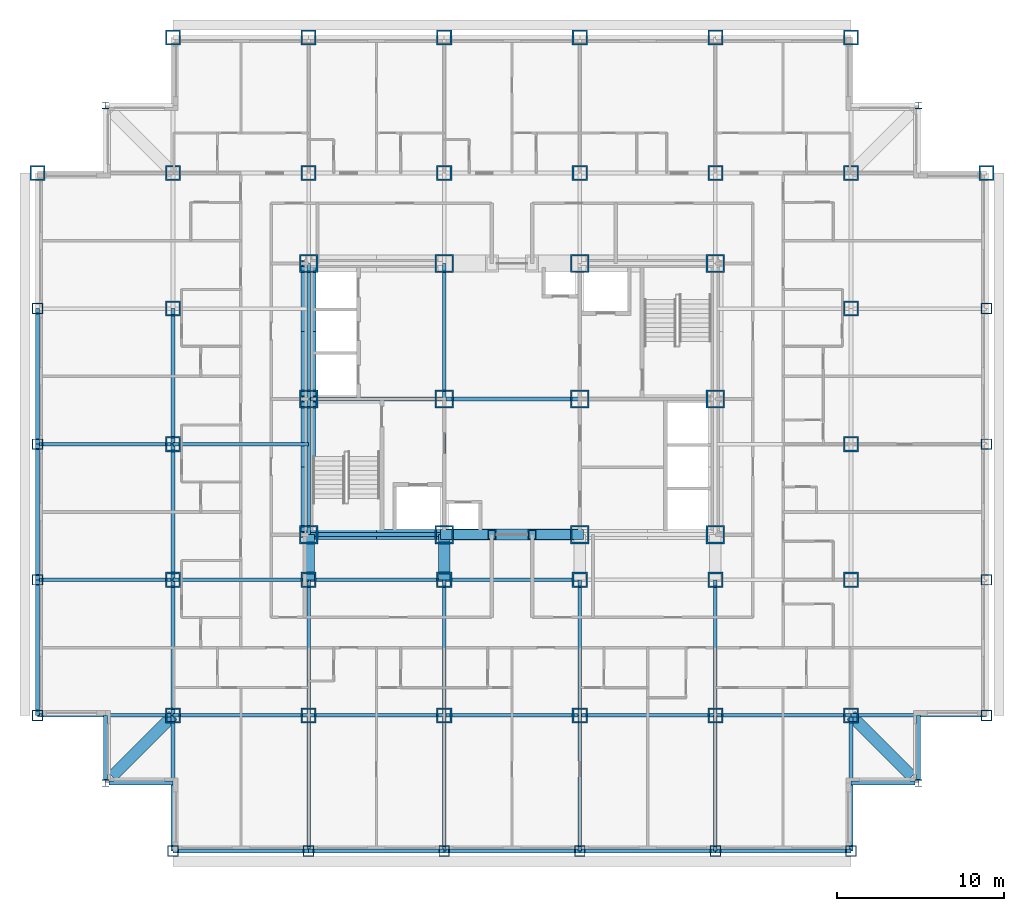
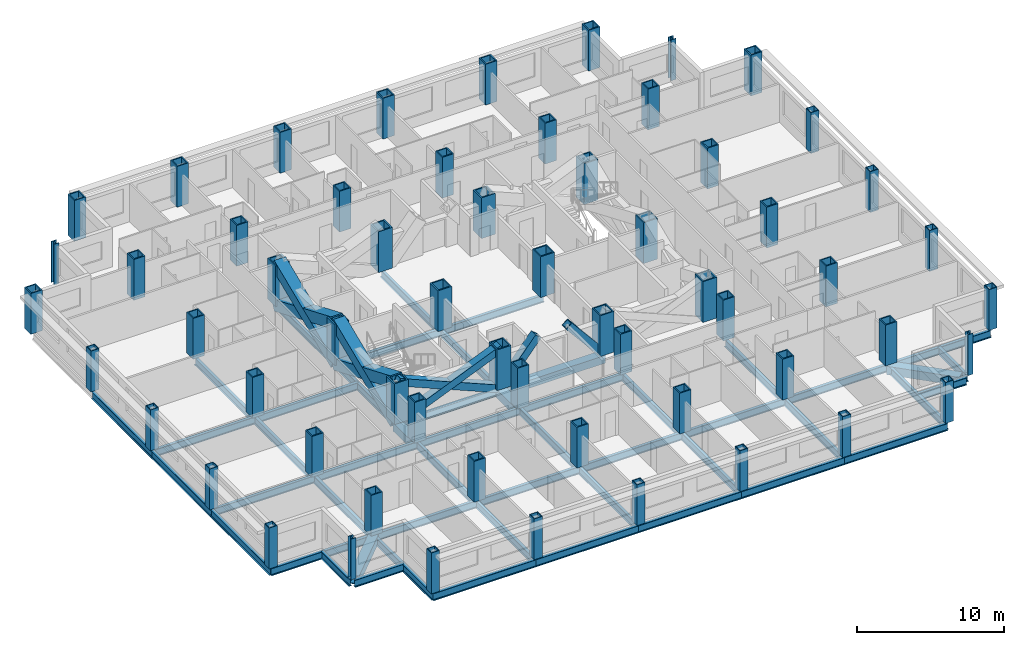
# One storey, part 1 of 12: 60 columns, 50 beams, 8 members.
"""IFC4 building model written with IfcOpenShell, lengths in metres."""

from ifc_helpers import new_model, si_unit, direction, frame, origin, origin_2d, place, context, subcontext, project, spatial, hollow_rectangle, i_section, extrude, material, material_profile, profile_set, type_object, element, save


model = new_model("IFC4")

# Units and contexts
model_context = context("Model", 3, precision=1e-05, world=origin(), true_north=direction((0.0, 1.0)))
body_context = subcontext(model_context, "Body", "Model", "MODEL_VIEW")
ifc_project = project(units=[si_unit("LENGTHUNIT", "METRE"), si_unit("AREAUNIT", "SQUARE_METRE"), si_unit("VOLUMEUNIT", "CUBIC_METRE"), si_unit("PLANEANGLEUNIT", "RADIAN"), si_unit("MASSUNIT", "GRAM", prefix="KILO")], contexts=[model_context])

# Site, building, storey
site_placement = place(None, origin())
site = spatial("IfcSite", under=ifc_project, at=site_placement, CompositionType="ELEMENT")
building_placement = place(site_placement, origin())
building = spatial("IfcBuilding", under=site, at=building_placement, Name="Kopane Lantern Tower", CompositionType="ELEMENT")
storey_placement = place(building_placement, frame((0.0, 0.0, 120.39990234375)))
storey = spatial("IfcBuildingStorey", under=building, at=storey_placement, Name="L30", CompositionType="ELEMENT", Elevation=120.39990234375)

# Columns
ifc_material_1 = material(Name="Steel S355JR", Category="steel")
ifc_material_profile_1 = material_profile(ifc_material_1, hollow_rectangle(XDim=1.10009765625, YDim=1.10009765625, WallThickness=0.10009765625, at=origin_2d()), Name="BOX 1100x1100x100")
ifc_profile_set_1 = profile_set([ifc_material_profile_1], Name="Steel S355JR")
column_type_1 = type_object("IfcColumnType", Name="COLUMN BOX 1100x1100x100", PredefinedType="COLUMN", material=ifc_profile_set_1)
for number, where, z_axis, x_axis, name in (
    (1, (16.199951171875, 24.300048828125, 0.0), (0.0, 0.0, 1.0), (1.0, 0.0, 0.0), "Column 4/E L30"),
    (2, (16.199951171875, 32.39990234375, 0.0), (0.0, 0.0, 1.0), (1.0, 0.0, 0.0), "Column 4/F L30"),
    (3, (16.199951171875, 40.5, 0.0), (0.0, 0.0, 1.0), (1.0, 0.0, 0.0), "Column 4/G L30"),
    (4, (24.300048828125, 24.300048828125, 0.0), (0.0, 0.0, 1.0), (1.0, 0.0, 0.0), "Column 5/E L30"),
    (5, (24.300048828125, 32.39990234375, 0.0), (0.0, 0.0, 1.0), (1.0, 0.0, 0.0), "Column 5/F L30"),
    (6, (24.300048828125, 40.5, 0.0), (0.0, 0.0, 1.0), (1.0, 0.0, 0.0), "Column 5/G L30"),
    (7, (32.39990234375, 24.300048828125, 0.0), (0.0, 0.0, 1.0), (1.0, 0.0, 0.0), "Column 6/E L30"),
    (8, (32.39990234375, 32.39990234375, 0.0), (0.0, 0.0, 1.0), (1.0, 0.0, 0.0), "Column 6/F L30"),
    (9, (32.39990234375, 40.5, 0.0), (0.0, 0.0, 1.0), (1.0, 0.0, 0.0), "Column 6/G L30"),
    (10, (40.5, 24.300048828125, 0.0), (0.0, 0.0, 1.0), (1.0, 0.0, 0.0), "Column 7/E L30"),
    (11, (40.5, 32.39990234375, 0.0), (0.0, 0.0, 1.0), (1.0, 0.0, 0.0), "Column 7/F L30"),
    (12, (40.5, 40.5, 0.0), (0.0, 0.0, 1.0), (1.0, 0.0, 0.0), "Column 7/G L30"),
):
    element("IfcColumn", number, at=place(storey_placement, frame(where, z_axis=z_axis, x_axis=x_axis)), inside=storey, type_object=column_type_1, Name=name, PredefinedType="COLUMN", context=body_context, shape_type="SweptSolid", body=[
        extrude(hollow_rectangle(XDim=1.10009765625, YDim=1.10009765625, WallThickness=0.10009765625, at=origin_2d()), origin(), (0.0, 0.0, 1.0), 3.400146484375),
    ])
ifc_material_2 = material(Name="Steel S355JR", Category="steel")
ifc_material_profile_2 = material_profile(ifc_material_2, hollow_rectangle(XDim=0.64990234375, YDim=0.64990234375, WallThickness=0.054931640625, at=origin_2d()), Name="BOX 650x650x55")
ifc_profile_set_2 = profile_set([ifc_material_profile_2], Name="Steel S355JR")
column_type_2 = type_object("IfcColumnType", Name="COLUMN BOX 650x650x55", PredefinedType="COLUMN", material=ifc_profile_set_2)
for number, where, z_axis, x_axis, name in (
    (13, (0.0, 13.5, 0.0), (0.0, 0.0, 1.0), (1.0, 0.0, 0.0), "Column 2/P2 L30"),
    (14, (0.0, 21.60009765625, 0.0), (0.0, 0.0, 1.0), (1.0, 0.0, 0.0), "Column 2/P3 L30"),
    (15, (0.0, 29.699951171875, 0.0), (0.0, 0.0, 1.0), (1.0, 0.0, 0.0), "Column 2/P4 L30"),
    (16, (0.0, 37.800048828125, 0.0), (0.0, 0.0, 1.0), (1.0, 0.0, 0.0), "Column 2/P5 L30"),
    (17, (8.10009765625, 5.39990234375, 0.0), (0.0, 0.0, 1.0), (1.0, 0.0, 0.0), "Column 3/P1 L30"),
    (18, (16.199951171875, 5.39990234375, 0.0), (0.0, 0.0, 1.0), (1.0, 0.0, 0.0), "Column 4/P1 L30"),
    (19, (24.300048828125, 5.39990234375, 0.0), (0.0, 0.0, 1.0), (1.0, 0.0, 0.0), "Column 5/P1 L30"),
    (20, (32.39990234375, 5.39990234375, 0.0), (0.0, 0.0, 1.0), (1.0, 0.0, 0.0), "Column 6/P1 L30"),
    (21, (40.5, 5.39990234375, 0.0), (0.0, 0.0, 1.0), (1.0, 0.0, 0.0), "Column 7/P1 L30"),
    (22, (48.60009765625, 5.39990234375, 0.0), (0.0, 0.0, 1.0), (1.0, 0.0, 0.0), "Column 8/P1 L30"),
    (23, (56.699951171875, 13.5, 0.0), (0.0, 0.0, 1.0), (1.0, 0.0, 0.0), "Column 9/P2 L30"),
    (24, (56.699951171875, 21.60009765625, 0.0), (0.0, 0.0, 1.0), (1.0, 0.0, 0.0), "Column 9/P3 L30"),
    (25, (56.699951171875, 29.699951171875, 0.0), (0.0, 0.0, 1.0), (1.0, 0.0, 0.0), "Column 9/P4 L30"),
    (26, (56.699951171875, 37.800048828125, 0.0), (0.0, 0.0, 1.0), (1.0, 0.0, 0.0), "Column 9/P5 L30"),
):
    element("IfcColumn", number, at=place(storey_placement, frame(where, z_axis=z_axis, x_axis=x_axis)), inside=storey, type_object=column_type_2, Name=name, PredefinedType="COLUMN", context=body_context, shape_type="SweptSolid", body=[
        extrude(hollow_rectangle(XDim=0.64990234375, YDim=0.64990234375, WallThickness=0.054931640625, at=origin_2d()), origin(), (0.0, 0.0, 1.0), 3.400146484375),
    ])
ifc_material_3 = material(Name="Steel S355JR", Category="steel")
ifc_material_profile_3 = material_profile(ifc_material_3, hollow_rectangle(XDim=0.89990234375, YDim=0.89990234375, WallThickness=0.090087890625, at=origin_2d()), Name="BOX 900x900x90")
ifc_profile_set_3 = profile_set([ifc_material_profile_3], Name="Steel S355JR")
column_type_3 = type_object("IfcColumnType", Name="COLUMN BOX 900x900x90", PredefinedType="COLUMN", material=ifc_profile_set_3)
for number, where, z_axis, x_axis, name in (
    (27, (0.0, 45.89990234375, 0.0), (0.0, 0.0, 1.0), (1.0, 0.0, 0.0), "Column 2/P6 L30"),
    (28, (8.10009765625, 13.5, 0.0), (0.0, 0.0, 1.0), (1.0, 0.0, 0.0), "Column 3/P2 L30"),
    (29, (8.10009765625, 21.60009765625, 0.0), (0.0, 0.0, 1.0), (1.0, 0.0, 0.0), "Column 3/P3 L30"),
    (30, (8.10009765625, 29.699951171875, 0.0), (0.0, 0.0, 1.0), (1.0, 0.0, 0.0), "Column 3/P4 L30"),
    (31, (8.10009765625, 37.800048828125, 0.0), (0.0, 0.0, 1.0), (1.0, 0.0, 0.0), "Column 3/P5 L30"),
    (32, (8.10009765625, 45.89990234375, 0.0), (0.0, 0.0, 1.0), (1.0, 0.0, 0.0), "Column 3/P6 L30"),
    (33, (8.10009765625, 54.0, 0.0), (0.0, 0.0, 1.0), (1.0, 0.0, 0.0), "Column 3/P7 L30"),
    (34, (16.199951171875, 13.5, 0.0), (0.0, 0.0, 1.0), (1.0, 0.0, 0.0), "Column 4/P2 L30"),
    (35, (16.199951171875, 21.60009765625, 0.0), (0.0, 0.0, 1.0), (1.0, 0.0, 0.0), "Column 4/P3 L30"),
    (36, (16.199951171875, 45.89990234375, 0.0), (0.0, 0.0, 1.0), (1.0, 0.0, 0.0), "Column 4/P6 L30"),
    (37, (16.199951171875, 54.0, 0.0), (0.0, 0.0, 1.0), (1.0, 0.0, 0.0), "Column 4/P7 L30"),
    (38, (24.300048828125, 13.5, 0.0), (0.0, 0.0, 1.0), (1.0, 0.0, 0.0), "Column 5/P2 L30"),
    (39, (24.300048828125, 21.60009765625, 0.0), (0.0, 0.0, 1.0), (1.0, 0.0, 0.0), "Column 5/P3 L30"),
    (40, (24.300048828125, 45.89990234375, 0.0), (0.0, 0.0, 1.0), (1.0, 0.0, 0.0), "Column 5/P6 L30"),
    (41, (24.300048828125, 54.0, 0.0), (0.0, 0.0, 1.0), (1.0, 0.0, 0.0), "Column 5/P7 L30"),
    (42, (32.39990234375, 13.5, 0.0), (0.0, 0.0, 1.0), (1.0, 0.0, 0.0), "Column 6/P2 L30"),
    (43, (32.39990234375, 21.60009765625, 0.0), (0.0, 0.0, 1.0), (1.0, 0.0, 0.0), "Column 6/P3 L30"),
    (44, (32.39990234375, 45.89990234375, 0.0), (0.0, 0.0, 1.0), (1.0, 0.0, 0.0), "Column 6/P6 L30"),
    (45, (32.39990234375, 54.0, 0.0), (0.0, 0.0, 1.0), (1.0, 0.0, 0.0), "Column 6/P7 L30"),
    (46, (40.5, 13.5, 0.0), (0.0, 0.0, 1.0), (1.0, 0.0, 0.0), "Column 7/P2 L30"),
    (47, (40.5, 21.60009765625, 0.0), (0.0, 0.0, 1.0), (1.0, 0.0, 0.0), "Column 7/P3 L30"),
    (48, (40.5, 45.89990234375, 0.0), (0.0, 0.0, 1.0), (1.0, 0.0, 0.0), "Column 7/P6 L30"),
    (49, (40.5, 54.0, 0.0), (0.0, 0.0, 1.0), (1.0, 0.0, 0.0), "Column 7/P7 L30"),
    (50, (48.60009765625, 13.5, 0.0), (0.0, 0.0, 1.0), (1.0, 0.0, 0.0), "Column 8/P2 L30"),
    (51, (48.60009765625, 21.60009765625, 0.0), (0.0, 0.0, 1.0), (1.0, 0.0, 0.0), "Column 8/P3 L30"),
    (52, (48.60009765625, 29.699951171875, 0.0), (0.0, 0.0, 1.0), (1.0, 0.0, 0.0), "Column 8/P4 L30"),
    (53, (48.60009765625, 37.800048828125, 0.0), (0.0, 0.0, 1.0), (1.0, 0.0, 0.0), "Column 8/P5 L30"),
    (54, (48.60009765625, 45.89990234375, 0.0), (0.0, 0.0, 1.0), (1.0, 0.0, 0.0), "Column 8/P6 L30"),
    (55, (48.60009765625, 54.0, 0.0), (0.0, 0.0, 1.0), (1.0, 0.0, 0.0), "Column 8/P7 L30"),
    (56, (56.699951171875, 45.89990234375, 0.0), (0.0, 0.0, 1.0), (1.0, 0.0, 0.0), "Column 9/P6 L30"),
):
    element("IfcColumn", number, at=place(storey_placement, frame(where, z_axis=z_axis, x_axis=x_axis)), inside=storey, type_object=column_type_3, Name=name, PredefinedType="COLUMN", context=body_context, shape_type="SweptSolid", body=[
        extrude(hollow_rectangle(XDim=0.89990234375, YDim=0.89990234375, WallThickness=0.090087890625, at=origin_2d()), origin(), (0.0, 0.0, 1.0), 3.400146484375),
    ])
ifc_material_4 = material(Name="Steel S355JR", Category="steel")
ifc_material_profile_4 = material_profile(ifc_material_4, i_section(OverallWidth=0.406982421875, OverallDepth=0.4189453125, WebThickness=0.030517578125, FlangeThickness=0.04931640625, FilletRadius=0.01513671875, at=origin_2d()), Name="UC 356x406x393")
ifc_profile_set_4 = profile_set([ifc_material_profile_4], Name="Steel S355JR")
column_type_4 = type_object("IfcColumnType", Name="COLUMN UC 356x406x393", PredefinedType="COLUMN", material=ifc_profile_set_4)
for number, where, z_axis, x_axis, name in (
    (57, (4.050048828125, 9.449951171875, 0.0), (0.0, 0.0, 1.0), (1.0, 0.0, 0.0), "Column 4.05/9.45 L30"),
    (58, (4.050048828125, 49.949951171875, 0.0), (0.0, 0.0, 1.0), (1.0, 0.0, 0.0), "Column 4.05/49.95 L30"),
    (59, (52.64990234375, 9.449951171875, 0.0), (0.0, 0.0, 1.0), (1.0, 0.0, 0.0), "Column 52.65/9.45 L30"),
    (60, (52.64990234375, 49.949951171875, 0.0), (0.0, 0.0, 1.0), (1.0, 0.0, 0.0), "Column 52.65/49.95 L30"),
):
    element("IfcColumn", number, at=place(storey_placement, frame(where, z_axis=z_axis, x_axis=x_axis)), inside=storey, type_object=column_type_4, Name=name, PredefinedType="COLUMN", context=body_context, shape_type="SweptSolid", body=[
        extrude(i_section(OverallWidth=0.406982421875, OverallDepth=0.4189453125, WebThickness=0.030517578125, FlangeThickness=0.04931640625, FilletRadius=0.01513671875, at=origin_2d()), origin(), (0.0, 0.0, 1.0), 3.400146484375),
    ])

# Members
ifc_material_5 = material(Name="Steel S355JR", Category="steel")
ifc_material_profile_5 = material_profile(ifc_material_5, hollow_rectangle(XDim=0.60009765625, YDim=0.60009765625, WallThickness=0.050048828125, at=origin_2d()), Name="BOX 600x600x50")
ifc_profile_set_5 = profile_set([ifc_material_profile_5], Name="Steel S355JR")
member_type_1 = type_object("IfcMemberType", Name="BRACE BOX 600x600x50", PredefinedType="BRACE", material=ifc_profile_set_5)
for number, where, z_axis, x_axis, name in (
    (61, (16.199951171875, 24.300048828125, -0.2099609375), (0.92205908274, 0.0, 0.387049154419), (0.0, 1.0, 0.0), "Core brace L30"),
    (62, (24.300048828125, 24.300048828125, -0.2099609375), (-0.92205908274, 0.0, 0.387049154419), (0.0, -1.0, 0.0), "Core brace L30"),
):
    element("IfcMember", number, at=place(storey_placement, frame(where, z_axis=z_axis, x_axis=x_axis)), inside=storey, type_object=member_type_1, Name=name, PredefinedType="BRACE", context=body_context, shape_type="SweptSolid", body=[
        extrude(hollow_rectangle(XDim=0.60009765625, YDim=0.60009765625, WallThickness=0.050048828125, at=origin_2d()), origin(), (0.0, 0.0, 1.0), 8.784912109375),
    ])
for number, where, z_axis, x_axis, name in (
    (63, (24.300048828125, 24.300048828125, -0.2099609375), (0.642363165114, 0.0, 0.766400394118), (0.0, 1.0, 0.0), "Core brace L30"),
    (64, (32.39990234375, 24.300048828125, -0.2099609375), (-0.642363165114, 0.0, 0.766400394118), (0.0, -1.0, 0.0), "Core brace L30"),
):
    element("IfcMember", number, at=place(storey_placement, frame(where, z_axis=z_axis, x_axis=x_axis)), inside=storey, type_object=member_type_1, Name=name, PredefinedType="BRACE", context=body_context, shape_type="SweptSolid", body=[
        extrude(hollow_rectangle(XDim=0.60009765625, YDim=0.60009765625, WallThickness=0.050048828125, at=origin_2d()), origin(), (0.0, 0.0, 1.0), 4.4365234375),
    ])
ifc_material_6 = material(Name="Steel S355JR", Category="steel")
ifc_material_profile_6 = material_profile(ifc_material_6, hollow_rectangle(XDim=0.89990234375, YDim=0.89990234375, WallThickness=0.090087890625, at=origin_2d()), Name="BOX 900x900x90")
ifc_profile_set_6 = profile_set([ifc_material_profile_6], Name="Steel S355JR")
member_type_2 = type_object("IfcMemberType", Name="BRACE BOX 900x900x90", PredefinedType="BRACE", material=ifc_profile_set_6)
for number, where, z_axis, x_axis, name in (
    (65, (16.199951171875, 24.300048828125, -0.2099609375), (0.0, 0.92205491925, 0.387059072864), (-1.0, 0.0, 0.0), "Core brace L30"),
    (66, (16.199951171875, 32.39990234375, -0.2099609375), (0.0, -0.92205491925, 0.387059072864), (1.0, 0.0, 0.0), "Core brace L30"),
):
    element("IfcMember", number, at=place(storey_placement, frame(where, z_axis=z_axis, x_axis=x_axis)), inside=storey, type_object=member_type_2, Name=name, PredefinedType="BRACE", context=body_context, shape_type="SweptSolid", body=[
        extrude(hollow_rectangle(XDim=0.89990234375, YDim=0.89990234375, WallThickness=0.090087890625, at=origin_2d()), origin(), (0.0, 0.0, 1.0), 8.78466796875),
    ])
for number, where, z_axis, x_axis, name in (
    (67, (16.199951171875, 32.39990234375, -0.2099609375), (0.0, 0.92205908274, 0.387049154419), (-1.0, 0.0, 0.0), "Core brace L30"),
    (68, (16.199951171875, 40.5, -0.2099609375), (0.0, -0.92205908274, 0.387049154419), (1.0, 0.0, 0.0), "Core brace L30"),
):
    element("IfcMember", number, at=place(storey_placement, frame(where, z_axis=z_axis, x_axis=x_axis)), inside=storey, type_object=member_type_2, Name=name, PredefinedType="BRACE", context=body_context, shape_type="SweptSolid", body=[
        extrude(hollow_rectangle(XDim=0.89990234375, YDim=0.89990234375, WallThickness=0.090087890625, at=origin_2d()), origin(), (0.0, 0.0, 1.0), 8.784912109375),
    ])

# Beams
ifc_material_7 = material(Name="Steel S355JR", Category="steel")
ifc_material_profile_7 = material_profile(ifc_material_7, i_section(OverallWidth=0.22900390625, OverallDepth=0.6123046875, WebThickness=0.011962890625, FlangeThickness=0.01953125, FilletRadius=0.0126953125, at=origin_2d()), Name="UB 610x229x125")
ifc_profile_set_7 = profile_set([ifc_material_profile_7], Name="Steel S355JR")
beam_type_1 = type_object("IfcBeamType", Name="CORE BEAM UB 610x229x125", PredefinedType="BEAM", material=ifc_profile_set_7)
beam_1_placement = place(storey_placement, frame((16.199951171875, 32.39990234375, -0.51611328125), z_axis=(1.0, 0.0, 0.0), x_axis=(0.0, 1.0, 0.0)))
element("IfcBeam", 69, at=beam_1_placement, inside=storey, type_object=beam_type_1, Name="Core Beam L30", PredefinedType="BEAM", context=body_context, shape_type="SweptSolid", body=[
    extrude(i_section(OverallWidth=0.22900390625, OverallDepth=0.6123046875, WebThickness=0.011962890625, FlangeThickness=0.01953125, FilletRadius=0.0126953125, at=origin_2d()), origin(), (0.0, 0.0, 1.0), 8.10009765625),
])
beam_2_placement = place(storey_placement, frame((24.300048828125, 24.300048828125, -0.51611328125), z_axis=(0.0, 1.0, 0.0), x_axis=(-1.0, 0.0, 0.0)))
element("IfcBeam", 70, at=beam_2_placement, inside=storey, type_object=beam_type_1, Name="Core Beam L30", PredefinedType="BEAM", context=body_context, shape_type="SweptSolid", body=[
    extrude(i_section(OverallWidth=0.22900390625, OverallDepth=0.6123046875, WebThickness=0.011962890625, FlangeThickness=0.01953125, FilletRadius=0.0126953125, at=origin_2d()), origin(), (0.0, 0.0, 1.0), 8.099853515625),
])
beam_3_placement = place(storey_placement, frame((24.300048828125, 32.39990234375, -0.51611328125), z_axis=(0.0, 1.0, 0.0), x_axis=(-1.0, 0.0, 0.0)))
element("IfcBeam", 71, at=beam_3_placement, inside=storey, type_object=beam_type_1, Name="Core Beam L30", PredefinedType="BEAM", context=body_context, shape_type="SweptSolid", body=[
    extrude(i_section(OverallWidth=0.22900390625, OverallDepth=0.6123046875, WebThickness=0.011962890625, FlangeThickness=0.01953125, FilletRadius=0.0126953125, at=origin_2d()), origin(), (0.0, 0.0, 1.0), 8.10009765625),
])
beam_4_placement = place(storey_placement, frame((24.300048828125, 32.39990234375, -0.51611328125), z_axis=(1.0, 0.0, 0.0), x_axis=(0.0, 1.0, 0.0)))
element("IfcBeam", 72, at=beam_4_placement, inside=storey, type_object=beam_type_1, Name="Core Beam L30", PredefinedType="BEAM", context=body_context, shape_type="SweptSolid", body=[
    extrude(i_section(OverallWidth=0.22900390625, OverallDepth=0.6123046875, WebThickness=0.011962890625, FlangeThickness=0.01953125, FilletRadius=0.0126953125, at=origin_2d()), origin(), (0.0, 0.0, 1.0), 8.099853515625),
])
ifc_material_8 = material(Name="Steel S355JR", Category="steel")
ifc_material_profile_8 = material_profile(ifc_material_8, hollow_rectangle(XDim=0.699951171875, YDim=0.699951171875, WallThickness=0.06005859375, at=origin_2d()), Name="BOX 700x700x60")
ifc_profile_set_8 = profile_set([ifc_material_profile_8], Name="Steel S355JR")
beam_type_2 = type_object("IfcBeamType", Name="CORNER TIE BEAM BOX 700x700x60", PredefinedType="BEAM", material=ifc_profile_set_8)
beam_5_placement = place(storey_placement, frame((4.447509765625, 9.847412109375, -0.559814453125), z_axis=(0.707106781187, 0.707106781187, 0.0), x_axis=(-0.707106781187, 0.707106781187, 0.0)))
element("IfcBeam", 73, at=beam_5_placement, inside=storey, type_object=beam_type_2, Name="Corner Tie Beam L30", PredefinedType="BEAM", context=body_context, shape_type="SweptSolid", body=[
    extrude(hollow_rectangle(XDim=0.699951171875, YDim=0.699951171875, WallThickness=0.06005859375, at=origin_2d()), origin(), (0.0, 0.0, 1.0), 5.16552734375),
])
beam_6_placement = place(storey_placement, frame((52.25244140625, 9.847412109375, -0.559814453125), z_axis=(-0.707083148333, 0.70713041325, 0.0), x_axis=(-0.70713041325, -0.707083148333, 0.0)))
element("IfcBeam", 74, at=beam_6_placement, inside=storey, type_object=beam_type_2, Name="Corner Tie Beam L30", PredefinedType="BEAM", context=body_context, shape_type="SweptSolid", body=[
    extrude(hollow_rectangle(XDim=0.699951171875, YDim=0.699951171875, WallThickness=0.06005859375, at=origin_2d()), origin(), (0.0, 0.0, 1.0), 5.165283203125),
])
ifc_material_9 = material(Name="Steel S355JR", Category="steel")
ifc_material_profile_9 = material_profile(ifc_material_9, i_section(OverallWidth=0.22900390625, OverallDepth=0.6123046875, WebThickness=0.011962890625, FlangeThickness=0.01953125, FilletRadius=0.0126953125, at=origin_2d()), Name="UB 610x229x125")
ifc_profile_set_9 = profile_set([ifc_material_profile_9], Name="Steel S355JR")
beam_type_3 = type_object("IfcBeamType", Name="EDGE BEAM UB 610x229x125", PredefinedType="BEAM", material=ifc_profile_set_9)
beam_7_placement = place(storey_placement, frame((4.050048828125, 9.653564453125, -0.51611328125), z_axis=(0.0, 1.0, 0.0), x_axis=(-1.0, 0.0, 0.0)))
element("IfcBeam", 75, at=beam_7_placement, inside=storey, type_object=beam_type_3, Name="Edge Beam L30", PredefinedType="BEAM", context=body_context, shape_type="SweptSolid", body=[
    extrude(i_section(OverallWidth=0.22900390625, OverallDepth=0.6123046875, WebThickness=0.011962890625, FlangeThickness=0.01953125, FilletRadius=0.0126953125, at=origin_2d()), origin(), (0.0, 0.0, 1.0), 3.846435546875),
])
beam_8_placement = place(storey_placement, frame((4.25341796875, 9.449951171875, -0.51611328125), z_axis=(1.0, 0.0, 0.0), x_axis=(0.0, 1.0, 0.0)))
element("IfcBeam", 76, at=beam_8_placement, inside=storey, type_object=beam_type_3, Name="Edge Beam L30", PredefinedType="BEAM", context=body_context, shape_type="SweptSolid", body=[
    extrude(i_section(OverallWidth=0.22900390625, OverallDepth=0.6123046875, WebThickness=0.011962890625, FlangeThickness=0.01953125, FilletRadius=0.0126953125, at=origin_2d()), origin(), (0.0, 0.0, 1.0), 3.8466796875),
])
for number, where, z_axis, x_axis, name in (
    (77, (52.446533203125, 9.449951171875, -0.51611328125), (-1.0, 0.0, 0.0), (0.0, -1.0, 0.0), "Edge Beam L30"),
    (78, (52.64990234375, 9.653564453125, -0.51611328125), (0.0, 1.0, 0.0), (-1.0, 0.0, 0.0), "Edge Beam L30"),
):
    element("IfcBeam", number, at=place(storey_placement, frame(where, z_axis=z_axis, x_axis=x_axis)), inside=storey, type_object=beam_type_3, Name=name, PredefinedType="BEAM", context=body_context, shape_type="SweptSolid", body=[
        extrude(i_section(OverallWidth=0.22900390625, OverallDepth=0.6123046875, WebThickness=0.011962890625, FlangeThickness=0.01953125, FilletRadius=0.0126953125, at=origin_2d()), origin(), (0.0, 0.0, 1.0), 3.846435546875),
    ])
ifc_material_10 = material(Name="Steel S355JR", Category="steel")
ifc_material_profile_10 = material_profile(ifc_material_10, hollow_rectangle(XDim=0.699951171875, YDim=0.699951171875, WallThickness=0.06005859375, at=origin_2d()), Name="BOX 700x700x60")
ifc_profile_set_10 = profile_set([ifc_material_profile_10], Name="Steel S355JR")
beam_type_4 = type_object("IfcBeamType", Name="GIRDER BOX 700x700x60", PredefinedType="BEAM", material=ifc_profile_set_10)
for number, where, z_axis, x_axis, name in (
    (79, (16.199951171875, 21.60009765625, -0.559814453125), (0.0, 1.0, 0.0), (-1.0, 0.0, 0.0), "Girder L30"),
    (80, (24.300048828125, 21.60009765625, -0.559814453125), (0.0, 1.0, 0.0), (-1.0, 0.0, 0.0), "Girder L30"),
):
    element("IfcBeam", number, at=place(storey_placement, frame(where, z_axis=z_axis, x_axis=x_axis)), inside=storey, type_object=beam_type_4, Name=name, PredefinedType="BEAM", context=body_context, shape_type="SweptSolid", body=[
        extrude(hollow_rectangle(XDim=0.699951171875, YDim=0.699951171875, WallThickness=0.06005859375, at=origin_2d()), origin(), (0.0, 0.0, 1.0), 2.699951171875),
    ])
ifc_material_11 = material(Name="Steel S355JR", Category="steel")
ifc_material_profile_11 = material_profile(ifc_material_11, i_section(OverallWidth=0.22900390625, OverallDepth=0.6123046875, WebThickness=0.011962890625, FlangeThickness=0.01953125, FilletRadius=0.0126953125, at=origin_2d()), Name="UB 610x229x125")
ifc_profile_set_11 = profile_set([ifc_material_profile_11], Name="Steel S355JR")
beam_type_5 = type_object("IfcBeamType", Name="GIRDER UB 610x229x125", PredefinedType="BEAM", material=ifc_profile_set_11)
for number, where, z_axis, x_axis, name in (
    (81, (0.0, 13.5, -0.51611328125), (0.0, 1.0, 0.0), (-1.0, 0.0, 0.0), "Girder L30"),
    (82, (0.0, 13.5, -0.51611328125), (1.0, 0.0, 0.0), (0.0, 1.0, 0.0), "Girder L30"),
):
    element("IfcBeam", number, at=place(storey_placement, frame(where, z_axis=z_axis, x_axis=x_axis)), inside=storey, type_object=beam_type_5, Name=name, PredefinedType="BEAM", context=body_context, shape_type="SweptSolid", body=[
        extrude(i_section(OverallWidth=0.22900390625, OverallDepth=0.6123046875, WebThickness=0.011962890625, FlangeThickness=0.01953125, FilletRadius=0.0126953125, at=origin_2d()), origin(), (0.0, 0.0, 1.0), 8.10009765625),
    ])
beam_9_placement = place(storey_placement, frame((0.0, 21.60009765625, -0.51611328125), z_axis=(0.0, 1.0, 0.0), x_axis=(-1.0, 0.0, 0.0)))
element("IfcBeam", 83, at=beam_9_placement, inside=storey, type_object=beam_type_5, Name="Girder L30", PredefinedType="BEAM", context=body_context, shape_type="SweptSolid", body=[
    extrude(i_section(OverallWidth=0.22900390625, OverallDepth=0.6123046875, WebThickness=0.011962890625, FlangeThickness=0.01953125, FilletRadius=0.0126953125, at=origin_2d()), origin(), (0.0, 0.0, 1.0), 8.099853515625),
])
for number, where, z_axis, x_axis, name in (
    (84, (0.0, 21.60009765625, -0.51611328125), (1.0, 0.0, 0.0), (0.0, 1.0, 0.0), "Girder L30"),
    (85, (0.0, 29.699951171875, -0.51611328125), (0.0, 1.0, 0.0), (-1.0, 0.0, 0.0), "Girder L30"),
    (86, (0.0, 29.699951171875, -0.51611328125), (1.0, 0.0, 0.0), (0.0, 1.0, 0.0), "Girder L30"),
    (87, (8.10009765625, 5.39990234375, -0.51611328125), (0.0, 1.0, 0.0), (-1.0, 0.0, 0.0), "Girder L30"),
):
    element("IfcBeam", number, at=place(storey_placement, frame(where, z_axis=z_axis, x_axis=x_axis)), inside=storey, type_object=beam_type_5, Name=name, PredefinedType="BEAM", context=body_context, shape_type="SweptSolid", body=[
        extrude(i_section(OverallWidth=0.22900390625, OverallDepth=0.6123046875, WebThickness=0.011962890625, FlangeThickness=0.01953125, FilletRadius=0.0126953125, at=origin_2d()), origin(), (0.0, 0.0, 1.0), 8.10009765625),
    ])
beam_10_placement = place(storey_placement, frame((8.10009765625, 5.39990234375, -0.51611328125), z_axis=(1.0, 0.0, 0.0), x_axis=(0.0, 1.0, 0.0)))
element("IfcBeam", 88, at=beam_10_placement, inside=storey, type_object=beam_type_5, Name="Girder L30", PredefinedType="BEAM", context=body_context, shape_type="SweptSolid", body=[
    extrude(i_section(OverallWidth=0.22900390625, OverallDepth=0.6123046875, WebThickness=0.011962890625, FlangeThickness=0.01953125, FilletRadius=0.0126953125, at=origin_2d()), origin(), (0.0, 0.0, 1.0), 8.099853515625),
])
beam_11_placement = place(storey_placement, frame((8.10009765625, 13.5, -0.51611328125), z_axis=(0.0, 1.0, 0.0), x_axis=(-1.0, 0.0, 0.0)))
element("IfcBeam", 89, at=beam_11_placement, inside=storey, type_object=beam_type_5, Name="Girder L30", PredefinedType="BEAM", context=body_context, shape_type="SweptSolid", body=[
    extrude(i_section(OverallWidth=0.22900390625, OverallDepth=0.6123046875, WebThickness=0.011962890625, FlangeThickness=0.01953125, FilletRadius=0.0126953125, at=origin_2d()), origin(), (0.0, 0.0, 1.0), 8.10009765625),
])
for number, where, z_axis, x_axis, name in (
    (90, (8.10009765625, 13.5, -0.51611328125), (1.0, 0.0, 0.0), (0.0, 1.0, 0.0), "Girder L30"),
    (91, (8.10009765625, 21.60009765625, -0.51611328125), (0.0, 1.0, 0.0), (-1.0, 0.0, 0.0), "Girder L30"),
    (92, (8.10009765625, 21.60009765625, -0.51611328125), (1.0, 0.0, 0.0), (0.0, 1.0, 0.0), "Girder L30"),
):
    element("IfcBeam", number, at=place(storey_placement, frame(where, z_axis=z_axis, x_axis=x_axis)), inside=storey, type_object=beam_type_5, Name=name, PredefinedType="BEAM", context=body_context, shape_type="SweptSolid", body=[
        extrude(i_section(OverallWidth=0.22900390625, OverallDepth=0.6123046875, WebThickness=0.011962890625, FlangeThickness=0.01953125, FilletRadius=0.0126953125, at=origin_2d()), origin(), (0.0, 0.0, 1.0), 8.099853515625),
    ])
beam_12_placement = place(storey_placement, frame((8.10009765625, 29.699951171875, -0.51611328125), z_axis=(0.0, 1.0, 0.0), x_axis=(-1.0, 0.0, 0.0)))
element("IfcBeam", 93, at=beam_12_placement, inside=storey, type_object=beam_type_5, Name="Girder L30", PredefinedType="BEAM", context=body_context, shape_type="SweptSolid", body=[
    extrude(i_section(OverallWidth=0.22900390625, OverallDepth=0.6123046875, WebThickness=0.011962890625, FlangeThickness=0.01953125, FilletRadius=0.0126953125, at=origin_2d()), origin(), (0.0, 0.0, 1.0), 8.10009765625),
])
beam_13_placement = place(storey_placement, frame((8.10009765625, 29.699951171875, -0.51611328125), z_axis=(1.0, 0.0, 0.0), x_axis=(0.0, 1.0, 0.0)))
element("IfcBeam", 94, at=beam_13_placement, inside=storey, type_object=beam_type_5, Name="Girder L30", PredefinedType="BEAM", context=body_context, shape_type="SweptSolid", body=[
    extrude(i_section(OverallWidth=0.22900390625, OverallDepth=0.6123046875, WebThickness=0.011962890625, FlangeThickness=0.01953125, FilletRadius=0.0126953125, at=origin_2d()), origin(), (0.0, 0.0, 1.0), 8.099853515625),
])
for number, where, z_axis, x_axis, name in (
    (95, (16.199951171875, 5.39990234375, -0.51611328125), (0.0, 1.0, 0.0), (-1.0, 0.0, 0.0), "Girder L30"),
    (96, (16.199951171875, 5.39990234375, -0.51611328125), (1.0, 0.0, 0.0), (0.0, 1.0, 0.0), "Girder L30"),
    (97, (16.199951171875, 13.5, -0.51611328125), (0.0, 1.0, 0.0), (-1.0, 0.0, 0.0), "Girder L30"),
    (98, (16.199951171875, 13.5, -0.51611328125), (1.0, 0.0, 0.0), (0.0, 1.0, 0.0), "Girder L30"),
    (99, (16.199951171875, 21.60009765625, -0.51611328125), (1.0, 0.0, 0.0), (0.0, 1.0, 0.0), "Girder L30"),
):
    element("IfcBeam", number, at=place(storey_placement, frame(where, z_axis=z_axis, x_axis=x_axis)), inside=storey, type_object=beam_type_5, Name=name, PredefinedType="BEAM", context=body_context, shape_type="SweptSolid", body=[
        extrude(i_section(OverallWidth=0.22900390625, OverallDepth=0.6123046875, WebThickness=0.011962890625, FlangeThickness=0.01953125, FilletRadius=0.0126953125, at=origin_2d()), origin(), (0.0, 0.0, 1.0), 8.10009765625),
    ])
beam_14_placement = place(storey_placement, frame((16.199951171875, 24.300048828125, -0.51611328125), z_axis=(0.0, 1.0, 0.0), x_axis=(-1.0, 0.0, 0.0)))
element("IfcBeam", 100, at=beam_14_placement, inside=storey, type_object=beam_type_5, Name="Girder L30", PredefinedType="BEAM", context=body_context, shape_type="SweptSolid", body=[
    extrude(i_section(OverallWidth=0.22900390625, OverallDepth=0.6123046875, WebThickness=0.011962890625, FlangeThickness=0.01953125, FilletRadius=0.0126953125, at=origin_2d()), origin(), (0.0, 0.0, 1.0), 8.099853515625),
])
for number, where, z_axis, x_axis, name in (
    (101, (16.199951171875, 24.300048828125, -0.51611328125), (1.0, 0.0, 0.0), (0.0, 1.0, 0.0), "Girder L30"),
    (102, (16.199951171875, 32.39990234375, -0.51611328125), (0.0, 1.0, 0.0), (-1.0, 0.0, 0.0), "Girder L30"),
    (103, (24.300048828125, 5.39990234375, -0.51611328125), (0.0, 1.0, 0.0), (-1.0, 0.0, 0.0), "Girder L30"),
):
    element("IfcBeam", number, at=place(storey_placement, frame(where, z_axis=z_axis, x_axis=x_axis)), inside=storey, type_object=beam_type_5, Name=name, PredefinedType="BEAM", context=body_context, shape_type="SweptSolid", body=[
        extrude(i_section(OverallWidth=0.22900390625, OverallDepth=0.6123046875, WebThickness=0.011962890625, FlangeThickness=0.01953125, FilletRadius=0.0126953125, at=origin_2d()), origin(), (0.0, 0.0, 1.0), 8.10009765625),
    ])
beam_15_placement = place(storey_placement, frame((24.300048828125, 5.39990234375, -0.51611328125), z_axis=(1.0, 0.0, 0.0), x_axis=(0.0, 1.0, 0.0)))
element("IfcBeam", 104, at=beam_15_placement, inside=storey, type_object=beam_type_5, Name="Girder L30", PredefinedType="BEAM", context=body_context, shape_type="SweptSolid", body=[
    extrude(i_section(OverallWidth=0.22900390625, OverallDepth=0.6123046875, WebThickness=0.011962890625, FlangeThickness=0.01953125, FilletRadius=0.0126953125, at=origin_2d()), origin(), (0.0, 0.0, 1.0), 8.099853515625),
])
beam_16_placement = place(storey_placement, frame((24.300048828125, 13.5, -0.51611328125), z_axis=(0.0, 1.0, 0.0), x_axis=(-1.0, 0.0, 0.0)))
element("IfcBeam", 105, at=beam_16_placement, inside=storey, type_object=beam_type_5, Name="Girder L30", PredefinedType="BEAM", context=body_context, shape_type="SweptSolid", body=[
    extrude(i_section(OverallWidth=0.22900390625, OverallDepth=0.6123046875, WebThickness=0.011962890625, FlangeThickness=0.01953125, FilletRadius=0.0126953125, at=origin_2d()), origin(), (0.0, 0.0, 1.0), 8.10009765625),
])
for number, where, z_axis, x_axis, name in (
    (106, (24.300048828125, 13.5, -0.51611328125), (1.0, 0.0, 0.0), (0.0, 1.0, 0.0), "Girder L30"),
    (107, (24.300048828125, 21.60009765625, -0.51611328125), (1.0, 0.0, 0.0), (0.0, 1.0, 0.0), "Girder L30"),
):
    element("IfcBeam", number, at=place(storey_placement, frame(where, z_axis=z_axis, x_axis=x_axis)), inside=storey, type_object=beam_type_5, Name=name, PredefinedType="BEAM", context=body_context, shape_type="SweptSolid", body=[
        extrude(i_section(OverallWidth=0.22900390625, OverallDepth=0.6123046875, WebThickness=0.011962890625, FlangeThickness=0.01953125, FilletRadius=0.0126953125, at=origin_2d()), origin(), (0.0, 0.0, 1.0), 8.099853515625),
    ])
for number, where, z_axis, x_axis, name in (
    (108, (32.39990234375, 5.39990234375, -0.51611328125), (0.0, 1.0, 0.0), (-1.0, 0.0, 0.0), "Girder L30"),
    (109, (32.39990234375, 5.39990234375, -0.51611328125), (1.0, 0.0, 0.0), (0.0, 1.0, 0.0), "Girder L30"),
    (110, (32.39990234375, 13.5, -0.51611328125), (0.0, 1.0, 0.0), (-1.0, 0.0, 0.0), "Girder L30"),
    (111, (32.39990234375, 13.5, -0.51611328125), (1.0, 0.0, 0.0), (0.0, 1.0, 0.0), "Girder L30"),
    (112, (40.5, 5.39990234375, -0.51611328125), (0.0, 1.0, 0.0), (-1.0, 0.0, 0.0), "Girder L30"),
    (113, (40.5, 5.39990234375, -0.51611328125), (1.0, 0.0, 0.0), (0.0, 1.0, 0.0), "Girder L30"),
    (114, (40.5, 13.5, -0.51611328125), (0.0, 1.0, 0.0), (-1.0, 0.0, 0.0), "Girder L30"),
    (115, (40.5, 13.5, -0.51611328125), (1.0, 0.0, 0.0), (0.0, 1.0, 0.0), "Girder L30"),
    (116, (48.60009765625, 5.39990234375, -0.51611328125), (0.0, 1.0, 0.0), (-1.0, 0.0, 0.0), "Girder L30"),
):
    element("IfcBeam", number, at=place(storey_placement, frame(where, z_axis=z_axis, x_axis=x_axis)), inside=storey, type_object=beam_type_5, Name=name, PredefinedType="BEAM", context=body_context, shape_type="SweptSolid", body=[
        extrude(i_section(OverallWidth=0.22900390625, OverallDepth=0.6123046875, WebThickness=0.011962890625, FlangeThickness=0.01953125, FilletRadius=0.0126953125, at=origin_2d()), origin(), (0.0, 0.0, 1.0), 8.10009765625),
    ])
beam_17_placement = place(storey_placement, frame((48.60009765625, 13.5, -0.51611328125), z_axis=(1.0, 0.0, 0.0), x_axis=(0.0, 1.0, 0.0)))
element("IfcBeam", 117, at=beam_17_placement, inside=storey, type_object=beam_type_5, Name="Girder L30", PredefinedType="BEAM", context=body_context, shape_type="SweptSolid", body=[
    extrude(i_section(OverallWidth=0.22900390625, OverallDepth=0.6123046875, WebThickness=0.011962890625, FlangeThickness=0.01953125, FilletRadius=0.0126953125, at=origin_2d()), origin(), (0.0, 0.0, 1.0), 8.099853515625),
])
ifc_material_12 = material(Name="Steel S355JR", Category="steel")
ifc_material_profile_12 = material_profile(ifc_material_12, hollow_rectangle(XDim=0.64990234375, YDim=0.64990234375, WallThickness=0.070068359375, at=origin_2d()), Name="BOX 650x650x70")
ifc_profile_set_12 = profile_set([ifc_material_profile_12], Name="Steel S355JR")
beam_type_6 = type_object("IfcBeamType", Name="LINK BEAM BOX 650x650x70", PredefinedType="BEAM", material=ifc_profile_set_12)
beam_18_placement = place(storey_placement, frame((24.300048828125, 24.300048828125, -0.534912109375), z_axis=(1.0, 0.0, 0.0), x_axis=(0.0, 1.0, 0.0)))
element("IfcBeam", 118, at=beam_18_placement, inside=storey, type_object=beam_type_6, Name="Link Beam L30", PredefinedType="BEAM", context=body_context, shape_type="SweptSolid", body=[
    extrude(hollow_rectangle(XDim=0.64990234375, YDim=0.64990234375, WallThickness=0.070068359375, at=origin_2d()), origin(), (0.0, 0.0, 1.0), 8.099853515625),
])

save(model, "model.ifc")
